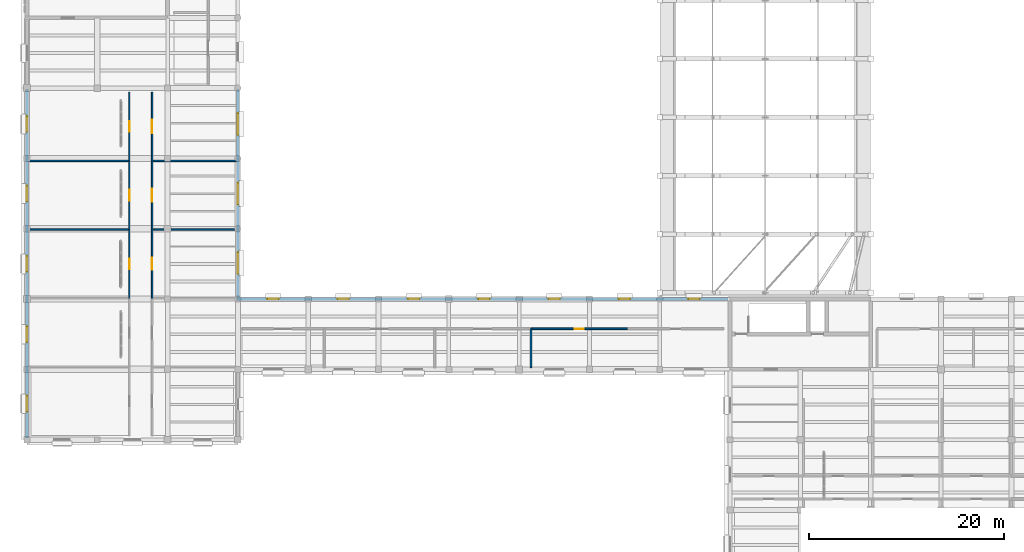
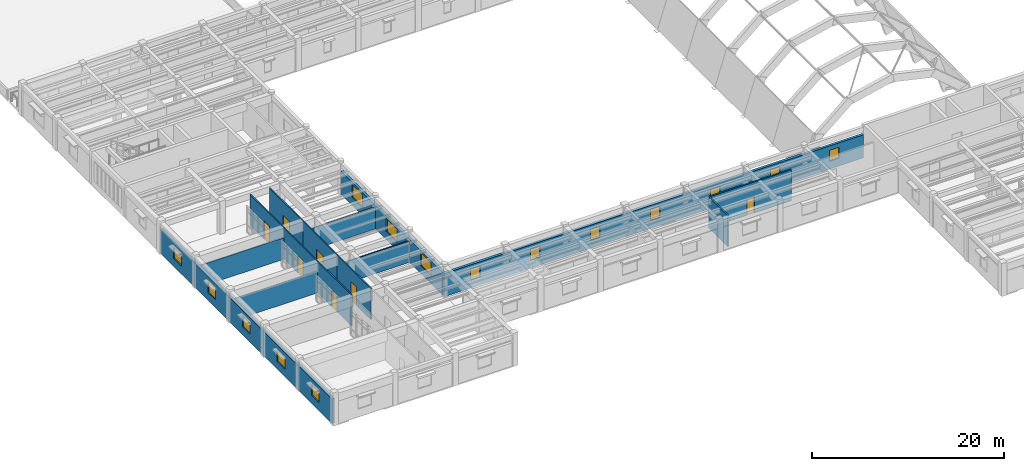
# One storey, part 38 of 66: 15 walls, 15 windows, 7 doors, 22 openings.
"""IFC4 building model written with IfcOpenShell, lengths in metres."""

from ifc_helpers import new_model, si_unit, direction, frame, frame_2d, origin, place, context, subcontext, project, spatial, rectangle, extrude, material, layer, layer_set, type_object, element, fill, save


model = new_model("IFC4")

# Units and contexts
model_context = context("Model", 3, precision=1e-05, world=origin(), true_north=direction((0.0, 1.0)))
body_context = subcontext(model_context, "Body", "Model", "MODEL_VIEW")
ifc_project = project(units=[si_unit("LENGTHUNIT", "METRE"), si_unit("AREAUNIT", "SQUARE_METRE"), si_unit("VOLUMEUNIT", "CUBIC_METRE"), si_unit("PLANEANGLEUNIT", "RADIAN"), si_unit("MASSUNIT", "GRAM", prefix="KILO")], contexts=[model_context])

# Site, building, storey
site_placement = place(None, origin())
site = spatial("IfcSite", under=ifc_project, at=site_placement, CompositionType="ELEMENT")
building_placement = place(site_placement, origin())
building = spatial("IfcBuilding", under=site, at=building_placement, Name="Mithqara Police Headquarters", CompositionType="ELEMENT")
storey_placement = place(building_placement, frame((0.0, 0.0, 9.60009765625)))
storey = spatial("IfcBuildingStorey", under=building, at=storey_placement, Name="L02", CompositionType="ELEMENT", Elevation=9.60009765625)

# Wall, openings, windows
ifc_material_1 = material(Name="Limestone ashlar masonry, 45 MPa", Category="masonry")
ifc_layer_1 = layer(ifc_material_1, 0.320068359375, Name="Limestone ashlar masonry, 45 MPa")
ifc_layer_set_1 = layer_set([ifc_layer_1], Name="Limestone ashlar masonry, 45 MPa")
wall_type_1 = type_object("IfcWallType", Name="EXT WALL LIMESTONE320", PredefinedType="SOLIDWALL", material=ifc_layer_set_1)
wall_1_placement = place(storey_placement, frame((7.800048828125, 56.840087890625, 0.0), z_axis=(0.0, 0.0, 1.0), x_axis=(0.0, -1.0, 0.0)))
wall_1 = element("IfcWall", 1, at=wall_1_placement, inside=storey, type_object=wall_type_1, Name="L02 Exterior Wall 15.1", PredefinedType="SOLIDWALL", context=body_context, shape_type="SweptSolid", body=[
    extrude(rectangle(XDim=35.68017578125, YDim=0.320068359375, at=frame_2d((17.840087890625, 0.0))), origin(), (0.0, 0.0, 1.0), 3.08984375),
])
opening_1_placement = place(wall_1_placement, frame((31.360107421875, 0.0, 1.0)))
opening_1 = element("IfcOpeningElement", 2, at=opening_1_placement, cuts=wall_1, Name="Opening W-26", PredefinedType="OPENING", context=body_context, shape_type="SweptSolid", body=[
    extrude(rectangle(XDim=1.60009765625, YDim=1.39990234375, at=frame_2d((0.800048828125, 0.699951171875))), frame((0.0, 0.169921875, 0.0), z_axis=(0.0, -1.0, 0.0), x_axis=(1.0, 0.0, 0.0)), (0.0, 0.0, 1.0), 0.340087890625),
])
opening_2_placement = place(wall_1_placement, frame((24.239990234375, 0.0, 1.0)))
opening_2 = element("IfcOpeningElement", 3, at=opening_2_placement, cuts=wall_1, Name="Opening W-26", PredefinedType="OPENING", context=body_context, shape_type="SweptSolid", body=[
    extrude(rectangle(XDim=1.60009765625, YDim=1.39990234375, at=frame_2d((0.800048828125, 0.699951171875))), frame((0.0, 0.169921875, 0.0), z_axis=(0.0, -1.0, 0.0), x_axis=(1.0, 0.0, 0.0)), (0.0, 0.0, 1.0), 0.340087890625),
])
opening_3_placement = place(wall_1_placement, frame((17.0400390625, 0.0, 1.0)))
opening_3 = element("IfcOpeningElement", 4, at=opening_3_placement, cuts=wall_1, Name="Opening W-26", PredefinedType="OPENING", context=body_context, shape_type="SweptSolid", body=[
    extrude(rectangle(XDim=1.60009765625, YDim=1.39990234375, at=frame_2d((0.800048828125, 0.699951171875))), frame((0.0, 0.169921875, 0.0), z_axis=(0.0, -1.0, 0.0), x_axis=(1.0, 0.0, 0.0)), (0.0, 0.0, 1.0), 0.340087890625),
])
opening_4_placement = place(wall_1_placement, frame((9.840087890625, 0.0, 1.0)))
opening_4 = element("IfcOpeningElement", 5, at=opening_4_placement, cuts=wall_1, Name="Opening W-26", PredefinedType="OPENING", context=body_context, shape_type="SweptSolid", body=[
    extrude(rectangle(XDim=1.60009765625, YDim=1.39990234375, at=frame_2d((0.800048828125, 0.699951171875))), frame((0.0, 0.169921875, 0.0), z_axis=(0.0, -1.0, 0.0), x_axis=(1.0, 0.0, 0.0)), (0.0, 0.0, 1.0), 0.340087890625),
])
opening_5_placement = place(wall_1_placement, frame((2.719970703125, 0.0, 1.0)))
opening_5 = element("IfcOpeningElement", 6, at=opening_5_placement, cuts=wall_1, Name="Opening W-26", PredefinedType="OPENING", context=body_context, shape_type="SweptSolid", body=[
    extrude(rectangle(XDim=1.60009765625, YDim=1.39990234375, at=frame_2d((0.800048828125, 0.699951171875))), frame((0.0, 0.169921875, 0.0), z_axis=(0.0, -1.0, 0.0), x_axis=(1.0, 0.0, 0.0)), (0.0, 0.0, 1.0), 0.340087890625),
])
ifc_material_2 = material(Name="Spectrally selective double low-e glass", Category="glass")
window_type_1 = type_object("IfcWindowType", Name="WINDOW 1600X1400", PartitioningType="SINGLE_PANEL", PredefinedType="WINDOW", material=ifc_material_2)
window_1_placement = place(opening_1_placement, origin())
window_1 = element("IfcWindow", 7, at=window_1_placement, inside=storey, type_object=window_type_1, Name="L02 Deep-Set Punched Window 15.1", OverallHeight=1.39990234375, OverallWidth=1.60009765625, PartitioningType="SINGLE_PANEL", PredefinedType="WINDOW", context=body_context, shape_type="SweptSolid", body=[
    extrude(rectangle(XDim=1.60009765625, YDim=1.39990234375, at=frame_2d((0.800048828125, 0.699951171875))), frame((0.0, 0.030029296875, 0.0), z_axis=(0.0, -1.0, 0.0), x_axis=(1.0, 0.0, 0.0)), (0.0, 0.0, 1.0), 0.06005859375),
])
fill(opening_1, window_1)
window_2_placement = place(opening_2_placement, origin())
window_2 = element("IfcWindow", 8, at=window_2_placement, inside=storey, type_object=window_type_1, Name="L02 Deep-Set Punched Window 15.2", OverallHeight=1.39990234375, OverallWidth=1.60009765625, PartitioningType="SINGLE_PANEL", PredefinedType="WINDOW", context=body_context, shape_type="SweptSolid", body=[
    extrude(rectangle(XDim=1.60009765625, YDim=1.39990234375, at=frame_2d((0.800048828125, 0.699951171875))), frame((0.0, 0.030029296875, 0.0), z_axis=(0.0, -1.0, 0.0), x_axis=(1.0, 0.0, 0.0)), (0.0, 0.0, 1.0), 0.06005859375),
])
fill(opening_2, window_2)
window_3_placement = place(opening_3_placement, origin())
window_3 = element("IfcWindow", 9, at=window_3_placement, inside=storey, type_object=window_type_1, Name="L02 Deep-Set Punched Window 15.3", OverallHeight=1.39990234375, OverallWidth=1.60009765625, PartitioningType="SINGLE_PANEL", PredefinedType="WINDOW", context=body_context, shape_type="SweptSolid", body=[
    extrude(rectangle(XDim=1.60009765625, YDim=1.39990234375, at=frame_2d((0.800048828125, 0.699951171875))), frame((0.0, 0.030029296875, 0.0), z_axis=(0.0, -1.0, 0.0), x_axis=(1.0, 0.0, 0.0)), (0.0, 0.0, 1.0), 0.06005859375),
])
fill(opening_3, window_3)
window_4_placement = place(opening_4_placement, origin())
window_4 = element("IfcWindow", 10, at=window_4_placement, inside=storey, type_object=window_type_1, Name="L02 Deep-Set Punched Window 15.4", OverallHeight=1.39990234375, OverallWidth=1.60009765625, PartitioningType="SINGLE_PANEL", PredefinedType="WINDOW", context=body_context, shape_type="SweptSolid", body=[
    extrude(rectangle(XDim=1.60009765625, YDim=1.39990234375, at=frame_2d((0.800048828125, 0.699951171875))), frame((0.0, 0.030029296875, 0.0), z_axis=(0.0, -1.0, 0.0), x_axis=(1.0, 0.0, 0.0)), (0.0, 0.0, 1.0), 0.06005859375),
])
fill(opening_4, window_4)
window_5_placement = place(opening_5_placement, origin())
window_5 = element("IfcWindow", 11, at=window_5_placement, inside=storey, type_object=window_type_1, Name="L02 Deep-Set Punched Window 15.5", OverallHeight=1.39990234375, OverallWidth=1.60009765625, PartitioningType="SINGLE_PANEL", PredefinedType="WINDOW", context=body_context, shape_type="SweptSolid", body=[
    extrude(rectangle(XDim=1.60009765625, YDim=1.39990234375, at=frame_2d((0.800048828125, 0.699951171875))), frame((0.0, 0.030029296875, 0.0), z_axis=(0.0, -1.0, 0.0), x_axis=(1.0, 0.0, 0.0)), (0.0, 0.0, 1.0), 0.06005859375),
])
fill(opening_5, window_5)

wall_2_placement = place(storey_placement, frame((29.39990234375, 35.56005859375, 0.0), z_axis=(0.0, 0.0, 1.0), x_axis=(0.0, 1.0, 0.0)))
wall_2 = element("IfcWall", 12, at=wall_2_placement, inside=storey, type_object=wall_type_1, Name="L02 Exterior Wall 1.1", PredefinedType="SOLIDWALL", context=body_context, shape_type="SweptSolid", body=[
    extrude(rectangle(XDim=21.280029296875, YDim=0.320068359375, at=frame_2d((10.64013671875, 0.0))), origin(), (0.0, 0.0, 1.0), 2.93994140625),
])
opening_6_placement = place(wall_2_placement, frame((2.419921875, 0.0, 1.0)))
opening_6 = element("IfcOpeningElement", 13, at=opening_6_placement, cuts=wall_2, Name="Opening W-42", PredefinedType="OPENING", context=body_context, shape_type="SweptSolid", body=[
    extrude(rectangle(XDim=2.199951171875, YDim=1.64990234375, at=frame_2d((1.10009765625, 0.824951171875))), frame((0.0, 0.169921875, 0.0), z_axis=(0.0, -1.0, 0.0), x_axis=(1.0, 0.0, 0.0)), (0.0, 0.0, 1.0), 0.340087890625),
])
opening_7_placement = place(wall_2_placement, frame((9.5400390625, 0.0, 1.0)))
opening_7 = element("IfcOpeningElement", 14, at=opening_7_placement, cuts=wall_2, Name="Opening W-42", PredefinedType="OPENING", context=body_context, shape_type="SweptSolid", body=[
    extrude(rectangle(XDim=2.199951171875, YDim=1.64990234375, at=frame_2d((1.10009765625, 0.824951171875))), frame((0.0, 0.169921875, 0.0), z_axis=(0.0, -1.0, 0.0), x_axis=(1.0, 0.0, 0.0)), (0.0, 0.0, 1.0), 0.340087890625),
])
opening_8_placement = place(wall_2_placement, frame((16.659912109375, 0.0, 1.0)))
opening_8 = element("IfcOpeningElement", 15, at=opening_8_placement, cuts=wall_2, Name="Opening W-42", PredefinedType="OPENING", context=body_context, shape_type="SweptSolid", body=[
    extrude(rectangle(XDim=2.199951171875, YDim=1.64990234375, at=frame_2d((1.10009765625, 0.824951171875))), frame((0.0, 0.169921875, 0.0), z_axis=(0.0, -1.0, 0.0), x_axis=(1.0, 0.0, 0.0)), (0.0, 0.0, 1.0), 0.340087890625),
])
window_type_2 = type_object("IfcWindowType", Name="WINDOW 2200X1650", PartitioningType="DOUBLE_PANEL_VERTICAL", PredefinedType="WINDOW", material=ifc_material_2)
window_6_placement = place(opening_6_placement, origin())
window_6 = element("IfcWindow", 16, at=window_6_placement, inside=storey, type_object=window_type_2, Name="L02 Deep-Set Punched Window 1.1", OverallHeight=1.64990234375, OverallWidth=2.199951171875, PartitioningType="SINGLE_PANEL", PredefinedType="WINDOW", context=body_context, shape_type="SweptSolid", body=[
    extrude(rectangle(XDim=2.199951171875, YDim=1.64990234375, at=frame_2d((1.10009765625, 0.824951171875))), frame((0.0, 0.030029296875, 0.0), z_axis=(0.0, -1.0, 0.0), x_axis=(1.0, 0.0, 0.0)), (0.0, 0.0, 1.0), 0.06005859375),
])
fill(opening_6, window_6)
window_7_placement = place(opening_7_placement, origin())
window_7 = element("IfcWindow", 17, at=window_7_placement, inside=storey, type_object=window_type_2, Name="L02 Deep-Set Punched Window 1.2", OverallHeight=1.64990234375, OverallWidth=2.199951171875, PartitioningType="SINGLE_PANEL", PredefinedType="WINDOW", context=body_context, shape_type="SweptSolid", body=[
    extrude(rectangle(XDim=2.199951171875, YDim=1.64990234375, at=frame_2d((1.10009765625, 0.824951171875))), frame((0.0, 0.030029296875, 0.0), z_axis=(0.0, -1.0, 0.0), x_axis=(1.0, 0.0, 0.0)), (0.0, 0.0, 1.0), 0.06005859375),
])
fill(opening_7, window_7)
window_8_placement = place(opening_8_placement, origin())
window_8 = element("IfcWindow", 18, at=window_8_placement, inside=storey, type_object=window_type_2, Name="L02 Deep-Set Punched Window 1.3", OverallHeight=1.64990234375, OverallWidth=2.199951171875, PartitioningType="SINGLE_PANEL", PredefinedType="WINDOW", context=body_context, shape_type="SweptSolid", body=[
    extrude(rectangle(XDim=2.199951171875, YDim=1.64990234375, at=frame_2d((1.10009765625, 0.824951171875))), frame((0.0, 0.030029296875, 0.0), z_axis=(0.0, -1.0, 0.0), x_axis=(1.0, 0.0, 0.0)), (0.0, 0.0, 1.0), 0.06005859375),
])
fill(opening_8, window_8)

wall_3_placement = place(storey_placement, frame((79.610107421875, 35.39990234375, 0.0), z_axis=(0.0, 0.0, 1.0), x_axis=(-1.0, 0.0, 0.0)))
wall_3 = element("IfcWall", 19, at=wall_3_placement, inside=storey, type_object=wall_type_1, Name="L02 Exterior Wall 6.2", PredefinedType="SOLIDWALL", context=body_context, shape_type="SweptSolid", body=[
    extrude(rectangle(XDim=50.3701171875, YDim=0.320068359375, at=frame_2d((25.18505859375, 0.0))), origin(), (0.0, 0.0, 1.0), 2.93994140625),
])
opening_9_placement = place(wall_3_placement, frame((46.034912109375, 0.0, 1.0)))
opening_9 = element("IfcOpeningElement", 20, at=opening_9_placement, cuts=wall_3, Name="Opening W-11", PredefinedType="OPENING", context=body_context, shape_type="SweptSolid", body=[
    extrude(rectangle(XDim=1.14990234375, YDim=1.39990234375, at=frame_2d((0.574951171875, 0.699951171875))), frame((0.0, 0.169921875, 0.0), z_axis=(0.0, -1.0, 0.0), x_axis=(1.0, 0.0, 0.0)), (0.0, 0.0, 1.0), 0.340087890625),
])
opening_10_placement = place(wall_3_placement, frame((38.8349609375, 0.0, 1.0)))
opening_10 = element("IfcOpeningElement", 21, at=opening_10_placement, cuts=wall_3, Name="Opening W-11", PredefinedType="OPENING", context=body_context, shape_type="SweptSolid", body=[
    extrude(rectangle(XDim=1.14990234375, YDim=1.39990234375, at=frame_2d((0.574951171875, 0.699951171875))), frame((0.0, 0.169921875, 0.0), z_axis=(0.0, -1.0, 0.0), x_axis=(1.0, 0.0, 0.0)), (0.0, 0.0, 1.0), 0.340087890625),
])
opening_11_placement = place(wall_3_placement, frame((31.635009765625, 0.0, 1.0)))
opening_11 = element("IfcOpeningElement", 22, at=opening_11_placement, cuts=wall_3, Name="Opening W-11", PredefinedType="OPENING", context=body_context, shape_type="SweptSolid", body=[
    extrude(rectangle(XDim=1.14990234375, YDim=1.39990234375, at=frame_2d((0.574951171875, 0.699951171875))), frame((0.0, 0.169921875, 0.0), z_axis=(0.0, -1.0, 0.0), x_axis=(1.0, 0.0, 0.0)), (0.0, 0.0, 1.0), 0.340087890625),
])
opening_12_placement = place(wall_3_placement, frame((24.43505859375, 0.0, 1.0)))
opening_12 = element("IfcOpeningElement", 23, at=opening_12_placement, cuts=wall_3, Name="Opening W-11", PredefinedType="OPENING", context=body_context, shape_type="SweptSolid", body=[
    extrude(rectangle(XDim=1.14990234375, YDim=1.39990234375, at=frame_2d((0.574951171875, 0.699951171875))), frame((0.0, 0.169921875, 0.0), z_axis=(0.0, -1.0, 0.0), x_axis=(1.0, 0.0, 0.0)), (0.0, 0.0, 1.0), 0.340087890625),
])
opening_13_placement = place(wall_3_placement, frame((17.235107421875, 0.0, 1.0)))
opening_13 = element("IfcOpeningElement", 24, at=opening_13_placement, cuts=wall_3, Name="Opening W-11", PredefinedType="OPENING", context=body_context, shape_type="SweptSolid", body=[
    extrude(rectangle(XDim=1.14990234375, YDim=1.39990234375, at=frame_2d((0.574951171875, 0.699951171875))), frame((0.0, 0.169921875, 0.0), z_axis=(0.0, -1.0, 0.0), x_axis=(1.0, 0.0, 0.0)), (0.0, 0.0, 1.0), 0.340087890625),
])
opening_14_placement = place(wall_3_placement, frame((10.034912109375, 0.0, 1.0)))
opening_14 = element("IfcOpeningElement", 25, at=opening_14_placement, cuts=wall_3, Name="Opening W-11", PredefinedType="OPENING", context=body_context, shape_type="SweptSolid", body=[
    extrude(rectangle(XDim=1.14990234375, YDim=1.39990234375, at=frame_2d((0.574951171875, 0.699951171875))), frame((0.0, 0.169921875, 0.0), z_axis=(0.0, -1.0, 0.0), x_axis=(1.0, 0.0, 0.0)), (0.0, 0.0, 1.0), 0.340087890625),
])
opening_15_placement = place(wall_3_placement, frame((2.929931640625, 0.0, 1.0)))
opening_15 = element("IfcOpeningElement", 26, at=opening_15_placement, cuts=wall_3, Name="Opening W-11", PredefinedType="OPENING", context=body_context, shape_type="SweptSolid", body=[
    extrude(rectangle(XDim=1.14990234375, YDim=1.39990234375, at=frame_2d((0.574951171875, 0.699951171875))), frame((0.0, 0.169921875, 0.0), z_axis=(0.0, -1.0, 0.0), x_axis=(1.0, 0.0, 0.0)), (0.0, 0.0, 1.0), 0.340087890625),
])
window_type_3 = type_object("IfcWindowType", Name="WINDOW 1150X1400", PartitioningType="SINGLE_PANEL", PredefinedType="WINDOW", material=ifc_material_2)
window_9_placement = place(opening_9_placement, origin())
window_9 = element("IfcWindow", 27, at=window_9_placement, inside=storey, type_object=window_type_3, Name="L02 Deep-Set Punched Window 6.1", OverallHeight=1.39990234375, OverallWidth=1.14990234375, PartitioningType="SINGLE_PANEL", PredefinedType="WINDOW", context=body_context, shape_type="SweptSolid", body=[
    extrude(rectangle(XDim=1.14990234375, YDim=1.39990234375, at=frame_2d((0.574951171875, 0.699951171875))), frame((0.0, 0.030029296875, 0.0), z_axis=(0.0, -1.0, 0.0), x_axis=(1.0, 0.0, 0.0)), (0.0, 0.0, 1.0), 0.06005859375),
])
fill(opening_9, window_9)
window_10_placement = place(opening_10_placement, origin())
window_10 = element("IfcWindow", 28, at=window_10_placement, inside=storey, type_object=window_type_3, Name="L02 Deep-Set Punched Window 6.2", OverallHeight=1.39990234375, OverallWidth=1.14990234375, PartitioningType="SINGLE_PANEL", PredefinedType="WINDOW", context=body_context, shape_type="SweptSolid", body=[
    extrude(rectangle(XDim=1.14990234375, YDim=1.39990234375, at=frame_2d((0.574951171875, 0.699951171875))), frame((0.0, 0.030029296875, 0.0), z_axis=(0.0, -1.0, 0.0), x_axis=(1.0, 0.0, 0.0)), (0.0, 0.0, 1.0), 0.06005859375),
])
fill(opening_10, window_10)
window_11_placement = place(opening_11_placement, origin())
window_11 = element("IfcWindow", 29, at=window_11_placement, inside=storey, type_object=window_type_3, Name="L02 Deep-Set Punched Window 6.3", OverallHeight=1.39990234375, OverallWidth=1.14990234375, PartitioningType="SINGLE_PANEL", PredefinedType="WINDOW", context=body_context, shape_type="SweptSolid", body=[
    extrude(rectangle(XDim=1.14990234375, YDim=1.39990234375, at=frame_2d((0.574951171875, 0.699951171875))), frame((0.0, 0.030029296875, 0.0), z_axis=(0.0, -1.0, 0.0), x_axis=(1.0, 0.0, 0.0)), (0.0, 0.0, 1.0), 0.06005859375),
])
fill(opening_11, window_11)
window_12_placement = place(opening_12_placement, origin())
window_12 = element("IfcWindow", 30, at=window_12_placement, inside=storey, type_object=window_type_3, Name="L02 Deep-Set Punched Window 6.4", OverallHeight=1.39990234375, OverallWidth=1.14990234375, PartitioningType="SINGLE_PANEL", PredefinedType="WINDOW", context=body_context, shape_type="SweptSolid", body=[
    extrude(rectangle(XDim=1.14990234375, YDim=1.39990234375, at=frame_2d((0.574951171875, 0.699951171875))), frame((0.0, 0.030029296875, 0.0), z_axis=(0.0, -1.0, 0.0), x_axis=(1.0, 0.0, 0.0)), (0.0, 0.0, 1.0), 0.06005859375),
])
fill(opening_12, window_12)
window_13_placement = place(opening_13_placement, origin())
window_13 = element("IfcWindow", 31, at=window_13_placement, inside=storey, type_object=window_type_3, Name="L02 Deep-Set Punched Window 6.5", OverallHeight=1.39990234375, OverallWidth=1.14990234375, PartitioningType="SINGLE_PANEL", PredefinedType="WINDOW", context=body_context, shape_type="SweptSolid", body=[
    extrude(rectangle(XDim=1.14990234375, YDim=1.39990234375, at=frame_2d((0.574951171875, 0.699951171875))), frame((0.0, 0.030029296875, 0.0), z_axis=(0.0, -1.0, 0.0), x_axis=(1.0, 0.0, 0.0)), (0.0, 0.0, 1.0), 0.06005859375),
])
fill(opening_13, window_13)
window_14_placement = place(opening_14_placement, origin())
window_14 = element("IfcWindow", 32, at=window_14_placement, inside=storey, type_object=window_type_3, Name="L02 Deep-Set Punched Window 6.6", OverallHeight=1.39990234375, OverallWidth=1.14990234375, PartitioningType="SINGLE_PANEL", PredefinedType="WINDOW", context=body_context, shape_type="SweptSolid", body=[
    extrude(rectangle(XDim=1.14990234375, YDim=1.39990234375, at=frame_2d((0.574951171875, 0.699951171875))), frame((0.0, 0.030029296875, 0.0), z_axis=(0.0, -1.0, 0.0), x_axis=(1.0, 0.0, 0.0)), (0.0, 0.0, 1.0), 0.06005859375),
])
fill(opening_14, window_14)
window_15_placement = place(opening_15_placement, origin())
window_15 = element("IfcWindow", 33, at=window_15_placement, inside=storey, type_object=window_type_3, Name="L02 Deep-Set Punched Window 6.7", OverallHeight=1.39990234375, OverallWidth=1.14990234375, PartitioningType="SINGLE_PANEL", PredefinedType="WINDOW", context=body_context, shape_type="SweptSolid", body=[
    extrude(rectangle(XDim=1.14990234375, YDim=1.39990234375, at=frame_2d((0.574951171875, 0.699951171875))), frame((0.0, 0.030029296875, 0.0), z_axis=(0.0, -1.0, 0.0), x_axis=(1.0, 0.0, 0.0)), (0.0, 0.0, 1.0), 0.06005859375),
])
fill(opening_15, window_15)

# Wall, opening, door
ifc_material_3 = material(Name="Gypsum acoustic stud partition", Category="gypsum")
ifc_layer_2 = layer(ifc_material_3, 0.139892578125, Name="Gypsum acoustic stud partition")
ifc_layer_set_2 = layer_set([ifc_layer_2], Name="Gypsum acoustic stud partition")
wall_type_2 = type_object("IfcWallType", Name="PART WALL 140", PredefinedType="PARTITIONING", material=ifc_layer_set_2)
wall_4_placement = place(storey_placement, frame((18.280029296875, 35.48388671875, 0.0), z_axis=(0.0, 0.0, 1.0), x_axis=(0.0, 1.0, 0.0)))
wall_4 = element("IfcWall", 34, at=wall_4_placement, inside=storey, type_object=wall_type_2, Name="L02 Corridor Wall Simultaneous Interpretation Booth", PredefinedType="PARTITIONING", context=body_context, shape_type="SweptSolid", body=[
    extrude(rectangle(XDim=7.0322265625, YDim=0.139892578125, at=frame_2d((3.51611328125, 0.0))), origin(), (0.0, 0.0, 1.0), 3.93994140625),
])
opening_16_placement = place(wall_4_placement, frame((2.966064453125, 0.0, 0.0)))
opening_16 = element("IfcOpeningElement", 35, at=opening_16_placement, cuts=wall_4, Name="Opening D-10", PredefinedType="OPENING", context=body_context, shape_type="SweptSolid", body=[
    extrude(rectangle(XDim=1.10009765625, YDim=2.10009765625, at=frame_2d((0.550048828125, 1.050048828125))), frame((0.0, 0.080078125, 0.0), z_axis=(0.0, -1.0, 0.0), x_axis=(1.0, 0.0, 0.0)), (0.0, 0.0, 1.0), 0.159912109375),
])
ifc_material_4 = material(Name="Acoustic solid-core timber leaf", Category="wood")
door_type_1 = type_object("IfcDoorType", Name="INT DOOR 1100X2100", OperationType="NOTDEFINED", PredefinedType="DOOR", material=ifc_material_4)
door_1_placement = place(opening_16_placement, frame((1.10009765625, 0.0, 0.0), z_axis=(0.0, 0.0, 1.0), x_axis=(-1.0, 0.0, 0.0)))
door_1 = element("IfcDoor", 36, at=door_1_placement, inside=storey, type_object=door_type_1, Name="Simultaneous Interpretation Booth Entry Door", OperationType="SINGLE_SWING_LEFT", OverallHeight=2.10009765625, OverallWidth=1.10009765625, PredefinedType="DOOR", context=body_context, shape_type="SweptSolid", body=[
    extrude(rectangle(XDim=1.10009765625, YDim=2.10009765625, at=frame_2d((0.550048828125, 1.050048828125))), frame((0.0, 0.02490234375, 0.0), z_axis=(0.0, -1.0, 0.0), x_axis=(1.0, 0.0, 0.0)), (0.0, 0.0, 1.0), 0.050048828125),
])
fill(opening_16, door_1)

# Wall
wall_5_placement = place(storey_placement, frame((7.97998046875, 42.51611328125, 0.0), z_axis=(0.0, 0.0, 1.0), x_axis=(1.0, 0.0, 0.0)))
element("IfcWall", 37, at=wall_5_placement, inside=storey, type_object=wall_type_2, Name="L02 Room Partition Simultaneous Interpretation Booth", PredefinedType="PARTITIONING", context=body_context, shape_type="SweptSolid", body=[
    extrude(rectangle(XDim=10.300048828125, YDim=0.139892578125, at=frame_2d((5.14990234375, 0.0))), origin(), (0.0, 0.0, 1.0), 2.739990234375),
])

# Wall, opening, door
wall_6_placement = place(storey_placement, frame((18.280029296875, 42.51611328125, 0.0), z_axis=(0.0, 0.0, 1.0), x_axis=(0.0, 1.0, 0.0)))
wall_6 = element("IfcWall", 38, at=wall_6_placement, inside=storey, type_object=wall_type_2, Name="L02 Corridor Wall Press Briefing Auditorium", PredefinedType="PARTITIONING", context=body_context, shape_type="SweptSolid", body=[
    extrude(rectangle(XDim=7.031982421875, YDim=0.139892578125, at=frame_2d((3.51611328125, 0.0))), origin(), (0.0, 0.0, 1.0), 3.93994140625),
])
opening_17_placement = place(wall_6_placement, frame((2.966064453125, 0.0, 0.0)))
opening_17 = element("IfcOpeningElement", 39, at=opening_17_placement, cuts=wall_6, Name="Opening D-11", PredefinedType="OPENING", context=body_context, shape_type="SweptSolid", body=[
    extrude(rectangle(XDim=1.10009765625, YDim=2.219970703125, at=frame_2d((0.550048828125, 1.10986328125))), frame((0.0, 0.080078125, 0.0), z_axis=(0.0, -1.0, 0.0), x_axis=(1.0, 0.0, 0.0)), (0.0, 0.0, 1.0), 0.159912109375),
])
door_type_2 = type_object("IfcDoorType", Name="INT DOOR 1100X2220", OperationType="NOTDEFINED", PredefinedType="DOOR", material=ifc_material_4)
door_2_placement = place(opening_17_placement, frame((1.10009765625, 0.0, 0.0), z_axis=(0.0, 0.0, 1.0), x_axis=(-1.0, 0.0, 0.0)))
door_2 = element("IfcDoor", 40, at=door_2_placement, inside=storey, type_object=door_type_2, Name="Press Briefing Auditorium Entry Door", OperationType="SINGLE_SWING_RIGHT", OverallHeight=2.219970703125, OverallWidth=1.10009765625, PredefinedType="DOOR", context=body_context, shape_type="SweptSolid", body=[
    extrude(rectangle(XDim=1.10009765625, YDim=2.219970703125, at=frame_2d((0.550048828125, 1.10986328125))), frame((0.0, 0.02490234375, 0.0), z_axis=(0.0, -1.0, 0.0), x_axis=(1.0, 0.0, 0.0)), (0.0, 0.0, 1.0), 0.050048828125),
])
fill(opening_17, door_2)

# Wall
wall_7_placement = place(storey_placement, frame((7.97998046875, 49.548095703125, 0.0), z_axis=(0.0, 0.0, 1.0), x_axis=(1.0, 0.0, 0.0)))
element("IfcWall", 41, at=wall_7_placement, inside=storey, type_object=wall_type_2, Name="L02 Room Partition Press Briefing Auditorium", PredefinedType="PARTITIONING", context=body_context, shape_type="SweptSolid", body=[
    extrude(rectangle(XDim=10.300048828125, YDim=0.139892578125, at=frame_2d((5.14990234375, 0.0))), origin(), (0.0, 0.0, 1.0), 2.739990234375),
])

# Wall, opening, door
wall_8_placement = place(storey_placement, frame((18.280029296875, 49.548095703125, 0.0), z_axis=(0.0, 0.0, 1.0), x_axis=(0.0, 1.0, 0.0)))
wall_8 = element("IfcWall", 42, at=wall_8_placement, inside=storey, type_object=wall_type_2, Name="L02 Corridor Wall Media Control Room", PredefinedType="PARTITIONING", context=body_context, shape_type="SweptSolid", body=[
    extrude(rectangle(XDim=7.031982421875, YDim=0.139892578125, at=frame_2d((3.51611328125, 0.0))), origin(), (0.0, 0.0, 1.0), 3.93994140625),
])
opening_18_placement = place(wall_8_placement, frame((2.966064453125, 0.0, 0.0)))
opening_18 = element("IfcOpeningElement", 43, at=opening_18_placement, cuts=wall_8, Name="Opening D-12", PredefinedType="OPENING", context=body_context, shape_type="SweptSolid", body=[
    extrude(rectangle(XDim=1.10009765625, YDim=2.35009765625, at=frame_2d((0.550048828125, 1.175048828125))), frame((0.0, 0.080078125, 0.0), z_axis=(0.0, -1.0, 0.0), x_axis=(1.0, 0.0, 0.0)), (0.0, 0.0, 1.0), 0.159912109375),
])
door_type_3 = type_object("IfcDoorType", Name="INT DOOR 1100X2350", OperationType="NOTDEFINED", PredefinedType="DOOR", material=ifc_material_4)
door_3_placement = place(opening_18_placement, frame((1.10009765625, 0.0, 0.0), z_axis=(0.0, 0.0, 1.0), x_axis=(-1.0, 0.0, 0.0)))
door_3 = element("IfcDoor", 44, at=door_3_placement, inside=storey, type_object=door_type_3, Name="Media Control Room Entry Door", OperationType="SINGLE_SWING_LEFT", OverallHeight=2.35009765625, OverallWidth=1.10009765625, PredefinedType="DOOR", context=body_context, shape_type="SweptSolid", body=[
    extrude(rectangle(XDim=1.10009765625, YDim=2.35009765625, at=frame_2d((0.550048828125, 1.175048828125))), frame((0.0, 0.02490234375, 0.0), z_axis=(0.0, -1.0, 0.0), x_axis=(1.0, 0.0, 0.0)), (0.0, 0.0, 1.0), 0.050048828125),
])
fill(opening_18, door_3)

wall_9_placement = place(storey_placement, frame((20.6201171875, 35.48388671875, 0.0), z_axis=(0.0, 0.0, 1.0), x_axis=(0.0, 1.0, 0.0)))
wall_9 = element("IfcWall", 45, at=wall_9_placement, inside=storey, type_object=wall_type_2, Name="L02 Corridor Wall Media Control Room", PredefinedType="PARTITIONING", context=body_context, shape_type="SweptSolid", body=[
    extrude(rectangle(XDim=7.0322265625, YDim=0.139892578125, at=frame_2d((3.51611328125, 0.0))), origin(), (0.0, 0.0, 1.0), 3.93994140625),
])
opening_19_placement = place(wall_9_placement, frame((2.906005859375, 0.0, 0.0)))
opening_19 = element("IfcOpeningElement", 46, at=opening_19_placement, cuts=wall_9, Name="Opening D-15", PredefinedType="OPENING", context=body_context, shape_type="SweptSolid", body=[
    extrude(rectangle(XDim=1.219970703125, YDim=2.35009765625, at=frame_2d((0.60986328125, 1.175048828125))), frame((0.0, 0.080078125, 0.0), z_axis=(0.0, -1.0, 0.0), x_axis=(1.0, 0.0, 0.0)), (0.0, 0.0, 1.0), 0.159912109375),
])
door_type_4 = type_object("IfcDoorType", Name="INT DOOR 1220X2350", OperationType="NOTDEFINED", PredefinedType="DOOR", material=ifc_material_4)
door_4_placement = place(opening_19_placement, origin())
door_4 = element("IfcDoor", 47, at=door_4_placement, inside=storey, type_object=door_type_4, Name="Media Control Room Entry Door", OperationType="SINGLE_SWING_RIGHT", OverallHeight=2.35009765625, OverallWidth=1.219970703125, PredefinedType="DOOR", context=body_context, shape_type="SweptSolid", body=[
    extrude(rectangle(XDim=1.219970703125, YDim=2.35009765625, at=frame_2d((0.60986328125, 1.175048828125))), frame((0.0, 0.02490234375, 0.0), z_axis=(0.0, -1.0, 0.0), x_axis=(1.0, 0.0, 0.0)), (0.0, 0.0, 1.0), 0.050048828125),
])
fill(opening_19, door_4)

# Wall
wall_10_placement = place(storey_placement, frame((20.6201171875, 42.51611328125, 0.0), z_axis=(0.0, 0.0, 1.0), x_axis=(1.0, 0.0, 0.0)))
element("IfcWall", 48, at=wall_10_placement, inside=storey, type_object=wall_type_2, Name="L02 Room Partition Media Control Room", PredefinedType="PARTITIONING", context=body_context, shape_type="SweptSolid", body=[
    extrude(rectangle(XDim=8.599853515625, YDim=0.139892578125, at=frame_2d((4.2998046875, 0.0))), origin(), (0.0, 0.0, 1.0), 2.739990234375),
])

# Wall, opening, door
wall_11_placement = place(storey_placement, frame((20.6201171875, 42.51611328125, 0.0), z_axis=(0.0, 0.0, 1.0), x_axis=(0.0, 1.0, 0.0)))
wall_11 = element("IfcWall", 49, at=wall_11_placement, inside=storey, type_object=wall_type_2, Name="L02 Corridor Wall Simultaneous Interpretation Booth", PredefinedType="PARTITIONING", context=body_context, shape_type="SweptSolid", body=[
    extrude(rectangle(XDim=7.031982421875, YDim=0.139892578125, at=frame_2d((3.51611328125, 0.0))), origin(), (0.0, 0.0, 1.0), 3.93994140625),
])
opening_20_placement = place(wall_11_placement, frame((2.8359375, 0.0, 0.0)))
opening_20 = element("IfcOpeningElement", 50, at=opening_20_placement, cuts=wall_11, Name="Opening D-16", PredefinedType="OPENING", context=body_context, shape_type="SweptSolid", body=[
    extrude(rectangle(XDim=1.360107421875, YDim=2.10009765625, at=frame_2d((0.68017578125, 1.050048828125))), frame((0.0, 0.080078125, 0.0), z_axis=(0.0, -1.0, 0.0), x_axis=(1.0, 0.0, 0.0)), (0.0, 0.0, 1.0), 0.159912109375),
])
ifc_material_5 = material(Name="Bronze anodised aluminium 6063-T6", Category="aluminium")
door_type_5 = type_object("IfcDoorType", Name="INT DOOR 1360X2100", OperationType="NOTDEFINED", PredefinedType="DOOR", material=ifc_material_5)
door_5_placement = place(opening_20_placement, origin())
door_5 = element("IfcDoor", 51, at=door_5_placement, inside=storey, type_object=door_type_5, Name="Simultaneous Interpretation Booth Entry Door", OperationType="SINGLE_SWING_LEFT", OverallHeight=2.10009765625, OverallWidth=1.360107421875, PredefinedType="DOOR", context=body_context, shape_type="SweptSolid", body=[
    extrude(rectangle(XDim=1.360107421875, YDim=2.10009765625, at=frame_2d((0.68017578125, 1.050048828125))), frame((0.0, 0.02490234375, 0.0), z_axis=(0.0, -1.0, 0.0), x_axis=(1.0, 0.0, 0.0)), (0.0, 0.0, 1.0), 0.050048828125),
])
fill(opening_20, door_5)

# Wall
wall_12_placement = place(storey_placement, frame((20.6201171875, 49.548095703125, 0.0), z_axis=(0.0, 0.0, 1.0), x_axis=(1.0, 0.0, 0.0)))
element("IfcWall", 52, at=wall_12_placement, inside=storey, type_object=wall_type_2, Name="L02 Room Partition Simultaneous Interpretation Booth", PredefinedType="PARTITIONING", context=body_context, shape_type="SweptSolid", body=[
    extrude(rectangle(XDim=8.599853515625, YDim=0.139892578125, at=frame_2d((4.2998046875, 0.0))), origin(), (0.0, 0.0, 1.0), 2.739990234375),
])

# Wall, opening, door
wall_13_placement = place(storey_placement, frame((20.6201171875, 49.548095703125, 0.0), z_axis=(0.0, 0.0, 1.0), x_axis=(0.0, 1.0, 0.0)))
wall_13 = element("IfcWall", 53, at=wall_13_placement, inside=storey, type_object=wall_type_2, Name="L02 Corridor Wall Press Briefing Auditorium", PredefinedType="PARTITIONING", context=body_context, shape_type="SweptSolid", body=[
    extrude(rectangle(XDim=7.031982421875, YDim=0.139892578125, at=frame_2d((3.51611328125, 0.0))), origin(), (0.0, 0.0, 1.0), 3.93994140625),
])
opening_21_placement = place(wall_13_placement, frame((2.8359375, 0.0, 0.0)))
opening_21 = element("IfcOpeningElement", 54, at=opening_21_placement, cuts=wall_13, Name="Opening D-17", PredefinedType="OPENING", context=body_context, shape_type="SweptSolid", body=[
    extrude(rectangle(XDim=1.360107421875, YDim=2.219970703125, at=frame_2d((0.68017578125, 1.10986328125))), frame((0.0, 0.080078125, 0.0), z_axis=(0.0, -1.0, 0.0), x_axis=(1.0, 0.0, 0.0)), (0.0, 0.0, 1.0), 0.159912109375),
])
door_type_6 = type_object("IfcDoorType", Name="INT DOOR 1360X2220", OperationType="NOTDEFINED", PredefinedType="DOOR", material=ifc_material_5)
door_6_placement = place(opening_21_placement, origin())
door_6 = element("IfcDoor", 55, at=door_6_placement, inside=storey, type_object=door_type_6, Name="Press Briefing Auditorium Entry Door", OperationType="SINGLE_SWING_RIGHT", OverallHeight=2.219970703125, OverallWidth=1.360107421875, PredefinedType="DOOR", context=body_context, shape_type="SweptSolid", body=[
    extrude(rectangle(XDim=1.360107421875, YDim=2.219970703125, at=frame_2d((0.68017578125, 1.10986328125))), frame((0.0, 0.02490234375, 0.0), z_axis=(0.0, -1.0, 0.0), x_axis=(1.0, 0.0, 0.0)), (0.0, 0.0, 1.0), 0.050048828125),
])
fill(opening_21, door_6)

# Wall
ifc_material_6 = material(Name="Concrete C40/50", Category="concrete")
ifc_layer_3 = layer(ifc_material_6, 0.179931640625, Name="Concrete C40/50")
ifc_layer_set_3 = layer_set([ifc_layer_3], Name="Concrete C40/50")
wall_type_3 = type_object("IfcWallType", Name="PART WALL 180", PredefinedType="PARTITIONING", material=ifc_layer_set_3)
wall_14_placement = place(storey_placement, frame((59.41796875, 28.3798828125, 0.0), z_axis=(0.0, 0.0, 1.0), x_axis=(0.0, 1.0, 0.0)))
element("IfcWall", 56, at=wall_14_placement, inside=storey, type_object=wall_type_3, Name="L02 Room Partition Community Safety Analysis Office", PredefinedType="PARTITIONING", context=body_context, shape_type="SweptSolid", body=[
    extrude(rectangle(XDim=3.980224609375, YDim=0.179931640625, at=frame_2d((1.990234375, 0.0))), origin(), (0.0, 0.0, 1.0), 3.93994140625),
])

# Wall, opening, door
wall_15_placement = place(storey_placement, frame((59.41796875, 32.360107421875, 0.0), z_axis=(0.0, 0.0, 1.0), x_axis=(1.0, 0.0, 0.0)))
wall_15 = element("IfcWall", 57, at=wall_15_placement, inside=storey, type_object=wall_type_3, Name="L02 Corridor Wall Crime Prevention Outreach Room", PredefinedType="PARTITIONING", context=body_context, shape_type="SweptSolid", body=[
    extrude(rectangle(XDim=9.865966796875, YDim=0.179931640625, at=frame_2d((4.93310546875, 0.0))), origin(), (0.0, 0.0, 1.0), 3.93994140625),
])
opening_22_placement = place(wall_15_placement, frame((4.472900390625, 0.0, 0.0)))
opening_22 = element("IfcOpeningElement", 58, at=opening_22_placement, cuts=wall_15, Name="Opening D-01", PredefinedType="OPENING", context=body_context, shape_type="SweptSolid", body=[
    extrude(rectangle(XDim=0.919921875, YDim=2.10009765625, at=frame_2d((0.4599609375, 1.050048828125))), frame((0.0, 0.10009765625, 0.0), z_axis=(0.0, -1.0, 0.0), x_axis=(1.0, 0.0, 0.0)), (0.0, 0.0, 1.0), 0.199951171875),
])
door_type_7 = type_object("IfcDoorType", Name="INT DOOR 920X2100", OperationType="NOTDEFINED", PredefinedType="DOOR", material=ifc_material_4)
door_7_placement = place(opening_22_placement, frame((0.919921875, 0.0, 0.0), z_axis=(0.0, 0.0, 1.0), x_axis=(-1.0, 0.0, 0.0)))
door_7 = element("IfcDoor", 59, at=door_7_placement, inside=storey, type_object=door_type_7, Name="Crime Prevention Outreach Room Entry Door", OperationType="SINGLE_SWING_RIGHT", OverallHeight=2.10009765625, OverallWidth=0.919921875, PredefinedType="DOOR", context=body_context, shape_type="SweptSolid", body=[
    extrude(rectangle(XDim=0.919921875, YDim=2.10009765625, at=frame_2d((0.4599609375, 1.050048828125))), frame((0.0, 0.02490234375, 0.0), z_axis=(0.0, -1.0, 0.0), x_axis=(1.0, 0.0, 0.0)), (0.0, 0.0, 1.0), 0.050048828125),
])
fill(opening_22, door_7)

save(model, "model.ifc")
